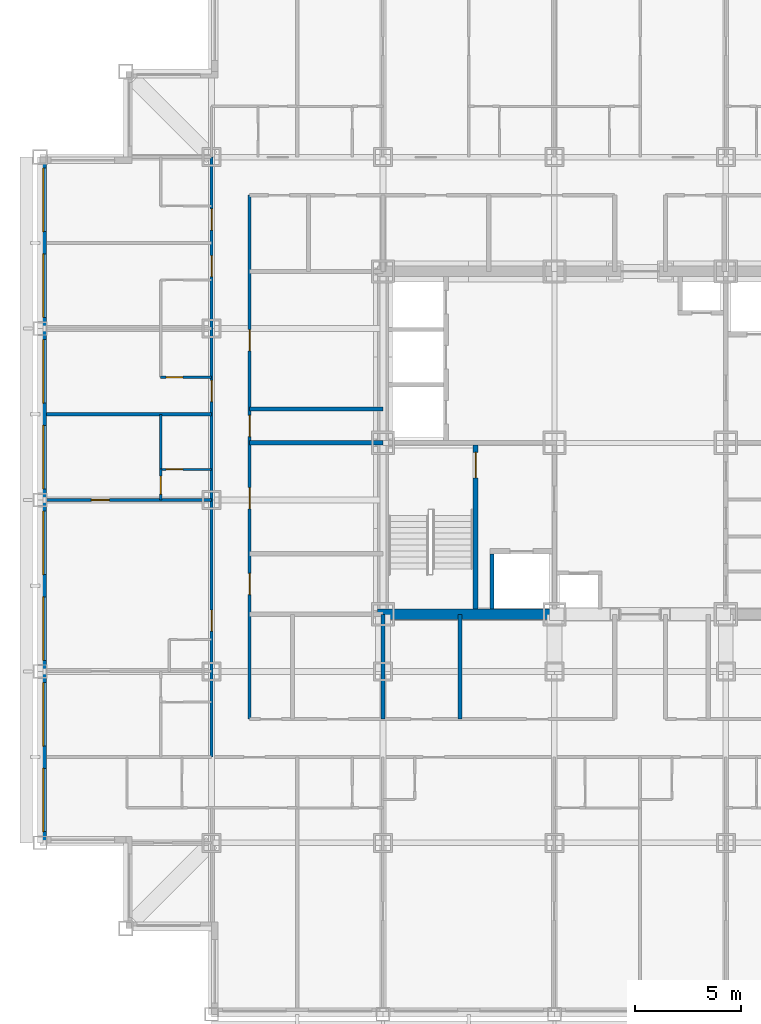
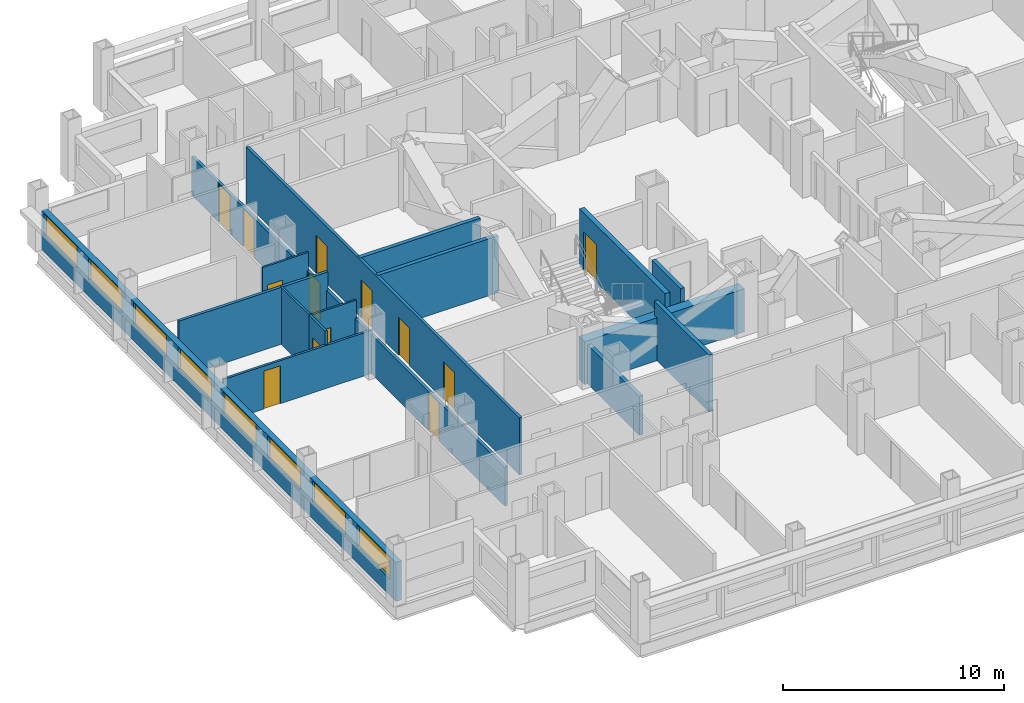
# One storey, part 6 of 15: 16 walls, 13 doors, 8 windows, 21 openings.
"""IFC4 building model written with IfcOpenShell, lengths in metres."""

from ifc_helpers import new_model, si_unit, direction, frame, frame_2d, origin, place, context, subcontext, project, spatial, rectangle, extrude, material, layer, layer_set, type_object, element, fill, save


model = new_model("IFC4")

# Units and contexts
model_context = context("Model", 3, precision=1e-05, world=origin(), true_north=direction((0.0, 1.0)))
body_context = subcontext(model_context, "Body", "Model", "MODEL_VIEW")
ifc_project = project(units=[si_unit("LENGTHUNIT", "METRE"), si_unit("AREAUNIT", "SQUARE_METRE"), si_unit("VOLUMEUNIT", "CUBIC_METRE"), si_unit("PLANEANGLEUNIT", "RADIAN"), si_unit("MASSUNIT", "GRAM", prefix="KILO")], contexts=[model_context])

# Site, building, storey
site_placement = place(None, origin())
site = spatial("IfcSite", under=ifc_project, at=site_placement, CompositionType="ELEMENT")
building_placement = place(site_placement, origin())
building = spatial("IfcBuilding", under=site, at=building_placement, Name="Kopane Lantern Tower", CompositionType="ELEMENT")
storey_placement = place(building_placement, frame((0.0, 0.0, 154.39990234375)))
storey = spatial("IfcBuildingStorey", under=building, at=storey_placement, Name="L40", CompositionType="ELEMENT", Elevation=154.39990234375)

# Wall, opening, door
ifc_material_1 = material(Name="Gypsum board on steel studs", Category="steel")
ifc_layer_1 = layer(ifc_material_1, 0.1201171875)
ifc_layer_set_1 = layer_set([ifc_layer_1], Name="APARTMENT INTERNAL WALL 120")
wall_type_1 = type_object("IfcWallType", Name="APARTMENT INTERNAL WALL 120", PredefinedType="PARTITIONING", material=ifc_layer_set_1)
wall_1_placement = place(storey_placement, frame((8.10009765625, 29.699951171875, 0.0), z_axis=(0.0, 0.0, 1.0), x_axis=(-1.0, 0.0, 0.0)))
wall_1 = element("IfcWall", 1, at=wall_1_placement, inside=storey, type_object=wall_type_1, Name="Apartment Internal Wall 120 L40", PredefinedType="PARTITIONING", context=body_context, shape_type="SweptSolid", body=[
    extrude(rectangle(XDim=7.800048828125, YDim=0.1201171875, at=frame_2d((3.89990234375, 0.0))), origin(), (0.0, 0.0, 1.0), 2.38037109375),
])
opening_1_placement = place(wall_1_placement, frame((4.824951171875, 0.0, 0.0)))
opening_1 = element("IfcOpeningElement", 2, at=opening_1_placement, cuts=wall_1, Name="Opening L40-056", PredefinedType="OPENING", context=body_context, shape_type="SweptSolid", body=[
    extrude(rectangle(XDim=0.85009765625, YDim=2.10009765625, at=frame_2d((0.425048828125, 1.050048828125))), frame((0.0, 0.070068359375, 0.0), z_axis=(0.0, -1.0, 0.0), x_axis=(1.0, 0.0, 0.0)), (0.0, 0.0, 1.0), 0.14013671875),
])
ifc_material_2 = material(Name="Timber door set", Category="wood")
door_type_1 = type_object("IfcDoorType", Name="DOOR D4 850x2100", OperationType="SINGLE_SWING_LEFT", PredefinedType="DOOR", material=ifc_material_2)
door_1_placement = place(opening_1_placement, origin())
door_1 = element("IfcDoor", 3, at=door_1_placement, inside=storey, type_object=door_type_1, Name="Door L40-056", OperationType="SINGLE_SWING_RIGHT", OverallHeight=2.10009765625, OverallWidth=0.85009765625, PredefinedType="DOOR", context=body_context, shape_type="SweptSolid", body=[
    extrude(rectangle(XDim=0.85009765625, YDim=2.10009765625, at=frame_2d((0.425048828125, 1.050048828125))), frame((0.0, 0.02490234375, 0.0), z_axis=(0.0, -1.0, 0.0), x_axis=(1.0, 0.0, 0.0)), (0.0, 0.0, 1.0), 0.050048828125),
])
fill(opening_1, door_1)

wall_2_placement = place(storey_placement, frame((5.699951171875, 29.699951171875, 0.0), z_axis=(0.0, 0.0, 1.0), x_axis=(0.0, 1.0, 0.0)))
wall_2 = element("IfcWall", 4, at=wall_2_placement, inside=storey, type_object=wall_type_1, Name="Apartment Internal Wall 120 L40", PredefinedType="PARTITIONING", context=body_context, shape_type="SweptSolid", body=[
    extrude(rectangle(XDim=1.4599609375, YDim=0.1201171875, at=frame_2d((0.72998046875, 0.0))), origin(), (0.0, 0.0, 1.0), 3.150146484375),
])
opening_2_placement = place(wall_2_placement, frame((0.27490234375, 0.0, 0.0)))
opening_2 = element("IfcOpeningElement", 5, at=opening_2_placement, cuts=wall_2, Name="Opening L40-100", PredefinedType="OPENING", context=body_context, shape_type="SweptSolid", body=[
    extrude(rectangle(XDim=0.85009765625, YDim=2.10009765625, at=frame_2d((0.425048828125, 1.050048828125))), frame((0.0, 0.070068359375, 0.0), z_axis=(0.0, -1.0, 0.0), x_axis=(1.0, 0.0, 0.0)), (0.0, 0.0, 1.0), 0.14013671875),
])
door_2_placement = place(opening_2_placement, origin())
door_2 = element("IfcDoor", 6, at=door_2_placement, inside=storey, type_object=door_type_1, Name="Door L40-100", OperationType="SINGLE_SWING_LEFT", OverallHeight=2.10009765625, OverallWidth=0.85009765625, PredefinedType="DOOR", context=body_context, shape_type="SweptSolid", body=[
    extrude(rectangle(XDim=0.85009765625, YDim=2.10009765625, at=frame_2d((0.425048828125, 1.050048828125))), frame((0.0, 0.02490234375, 0.0), z_axis=(0.0, -1.0, 0.0), x_axis=(1.0, 0.0, 0.0)), (0.0, 0.0, 1.0), 0.050048828125),
])
fill(opening_2, door_2)

# Wall
ifc_material_3 = material(Name="Moisture-resistant board on steel studs", Category="steel")
ifc_layer_2 = layer(ifc_material_3, 0.10009765625)
ifc_layer_set_2 = layer_set([ifc_layer_2], Name="BATHROOM WALL 100")
wall_type_2 = type_object("IfcWallType", Name="BATHROOM WALL 100", PredefinedType="PARTITIONING", material=ifc_layer_set_2)
wall_3_placement = place(storey_placement, frame((5.699951171875, 31.14990234375, 0.0), z_axis=(0.0, 0.0, 1.0), x_axis=(0.0, 1.0, 0.0)))
element("IfcWall", 7, at=wall_3_placement, inside=storey, type_object=wall_type_2, Name="Bathroom Wall 100 L40", PredefinedType="PARTITIONING", context=body_context, shape_type="SweptSolid", body=[
    extrude(rectangle(XDim=2.60009765625, YDim=0.10009765625, at=frame_2d((1.300048828125, 0.0))), origin(), (0.0, 0.0, 1.0), 3.150146484375),
])

# Wall, opening, door
wall_4_placement = place(storey_placement, frame((8.10009765625, 31.14990234375, 0.0), z_axis=(0.0, 0.0, 1.0), x_axis=(-1.0, 0.0, 0.0)))
wall_4 = element("IfcWall", 8, at=wall_4_placement, inside=storey, type_object=wall_type_2, Name="Bathroom Wall 100 L40", PredefinedType="PARTITIONING", context=body_context, shape_type="SweptSolid", body=[
    extrude(rectangle(XDim=2.400146484375, YDim=0.10009765625, at=frame_2d((1.2001953125, 0.0))), origin(), (0.0, 0.0, 1.0), 3.150146484375),
])
opening_3_placement = place(wall_4_placement, frame((1.35009765625, 0.0, 0.0)))
opening_3 = element("IfcOpeningElement", 9, at=opening_3_placement, cuts=wall_4, Name="Opening L40-055", PredefinedType="OPENING", context=body_context, shape_type="SweptSolid", body=[
    extrude(rectangle(XDim=0.800048828125, YDim=2.10009765625, at=frame_2d((0.39990234375, 1.050048828125))), frame((0.0, 0.06005859375, 0.0), z_axis=(0.0, -1.0, 0.0), x_axis=(1.0, 0.0, 0.0)), (0.0, 0.0, 1.0), 0.1201171875),
])
ifc_material_4 = material(Name="Timber door set", Category="wood")
door_type_2 = type_object("IfcDoorType", Name="DOOR D2 800x2100", OperationType="SINGLE_SWING_LEFT", PredefinedType="DOOR", material=ifc_material_4)
door_3_placement = place(opening_3_placement, origin())
door_3 = element("IfcDoor", 10, at=door_3_placement, inside=storey, type_object=door_type_2, Name="Door L40-055", OperationType="SINGLE_SWING_RIGHT", OverallHeight=2.10009765625, OverallWidth=0.800048828125, PredefinedType="DOOR", context=body_context, shape_type="SweptSolid", body=[
    extrude(rectangle(XDim=0.800048828125, YDim=2.10009765625, at=frame_2d((0.39990234375, 1.050048828125))), frame((0.0, 0.02490234375, 0.0), z_axis=(0.0, -1.0, 0.0), x_axis=(1.0, 0.0, 0.0)), (0.0, 0.0, 1.0), 0.050048828125),
])
fill(opening_3, door_3)

wall_5_placement = place(storey_placement, frame((8.10009765625, 35.5, 0.0), z_axis=(0.0, 0.0, 1.0), x_axis=(-1.0, 0.0, 0.0)))
wall_5 = element("IfcWall", 11, at=wall_5_placement, inside=storey, type_object=wall_type_2, Name="Bathroom Wall 100 L40", PredefinedType="PARTITIONING", context=body_context, shape_type="SweptSolid", body=[
    extrude(rectangle(XDim=2.400146484375, YDim=0.10009765625, at=frame_2d((1.2001953125, 0.0))), origin(), (0.0, 0.0, 1.0), 3.150146484375),
])
opening_4_placement = place(wall_5_placement, frame((1.35009765625, 0.0, 0.0)))
opening_4 = element("IfcOpeningElement", 12, at=opening_4_placement, cuts=wall_5, Name="Opening L40-057", PredefinedType="OPENING", context=body_context, shape_type="SweptSolid", body=[
    extrude(rectangle(XDim=0.800048828125, YDim=2.10009765625, at=frame_2d((0.39990234375, 1.050048828125))), frame((0.0, 0.06005859375, 0.0), z_axis=(0.0, -1.0, 0.0), x_axis=(1.0, 0.0, 0.0)), (0.0, 0.0, 1.0), 0.1201171875),
])
door_4_placement = place(opening_4_placement, origin())
door_4 = element("IfcDoor", 13, at=door_4_placement, inside=storey, type_object=door_type_2, Name="Door L40-057", OperationType="SINGLE_SWING_LEFT", OverallHeight=2.10009765625, OverallWidth=0.800048828125, PredefinedType="DOOR", context=body_context, shape_type="SweptSolid", body=[
    extrude(rectangle(XDim=0.800048828125, YDim=2.10009765625, at=frame_2d((0.39990234375, 1.050048828125))), frame((0.0, 0.02490234375, 0.0), z_axis=(0.0, -1.0, 0.0), x_axis=(1.0, 0.0, 0.0)), (0.0, 0.0, 1.0), 0.050048828125),
])
fill(opening_4, door_4)

# Wall
ifc_material_5 = material(Name="Gypsum shaft wall EI 120", Category="gypsum")
ifc_layer_3 = layer(ifc_material_5, 0.5)
ifc_layer_set_3 = layer_set([ifc_layer_3], Name="CORE PERIMETER WALL 500 EI 120")
wall_type_3 = type_object("IfcWallType", Name="CORE PERIMETER WALL 500 EI 120", PredefinedType="SOLIDWALL", material=ifc_layer_set_3)
wall_6_placement = place(storey_placement, frame((15.949951171875, 24.300048828125, 0.0), z_axis=(0.0, 0.0, 1.0), x_axis=(1.0, 0.0, 0.0)))
element("IfcWall", 14, at=wall_6_placement, inside=storey, type_object=wall_type_3, Name="Core shaft wall L40 PSW", PredefinedType="SOLIDWALL", context=body_context, shape_type="SweptSolid", body=[
    extrude(rectangle(XDim=8.35009765625, YDim=0.5, at=frame_2d((4.175048828125, 0.0))), origin(), (0.0, 0.0, 1.0), 2.38037109375),
])

# Wall, opening, door
ifc_material_6 = material(Name="Gypsum shaft wall EI 120", Category="gypsum")
ifc_layer_4 = layer(ifc_material_6, 0.25)
ifc_layer_set_4 = layer_set([ifc_layer_4], Name="CORE SHAFT WALL 250 EI 120")
wall_type_4 = type_object("IfcWallType", Name="CORE SHAFT WALL 250 EI 120", PredefinedType="SOLIDWALL", material=ifc_layer_set_4)
wall_7_placement = place(storey_placement, frame((20.574951171875, 24.550048828125, 0.0), z_axis=(0.0, 0.0, 1.0), x_axis=(0.0, 1.0, 0.0)))
wall_7 = element("IfcWall", 15, at=wall_7_placement, inside=storey, type_object=wall_type_4, Name="Core shaft wall L40 XST1", PredefinedType="SOLIDWALL", context=body_context, shape_type="SweptSolid", body=[
    extrude(rectangle(XDim=7.75, YDim=0.25, at=frame_2d((3.875, 0.0))), origin(), (0.0, 0.0, 1.0), 3.150146484375),
])
opening_5_placement = place(wall_7_placement, frame((6.199951171875, 0.0, 0.0)))
opening_5 = element("IfcOpeningElement", 16, at=opening_5_placement, cuts=wall_7, Name="Opening 40.SD1", PredefinedType="OPENING", context=body_context, shape_type="SweptSolid", body=[
    extrude(rectangle(XDim=1.199951171875, YDim=2.10009765625, at=frame_2d((0.60009765625, 1.050048828125))), frame((0.0, 0.135009765625, 0.0), z_axis=(0.0, -1.0, 0.0), x_axis=(1.0, 0.0, 0.0)), (0.0, 0.0, 1.0), 0.27001953125),
])
ifc_material_7 = material(Name="Steel door set", Category="steel")
door_type_3 = type_object("IfcDoorType", Name="STAIR DOOR 1200x2100 FD60S", OperationType="SINGLE_SWING_LEFT", PredefinedType="DOOR", material=ifc_material_7)
door_5_placement = place(opening_5_placement, origin())
door_5 = element("IfcDoor", 17, at=door_5_placement, inside=storey, type_object=door_type_3, Name="Stair door ST1 L40", OperationType="SINGLE_SWING_LEFT", OverallHeight=2.10009765625, OverallWidth=1.199951171875, PredefinedType="DOOR", context=body_context, shape_type="SweptSolid", body=[
    extrude(rectangle(XDim=1.199951171875, YDim=2.10009765625, at=frame_2d((0.60009765625, 1.050048828125))), frame((0.0, 0.02490234375, 0.0), z_axis=(0.0, -1.0, 0.0), x_axis=(1.0, 0.0, 0.0)), (0.0, 0.0, 1.0), 0.050048828125),
])
fill(opening_5, door_5)

# Wall, openings, doors
ifc_material_8 = material(Name="Gypsum board on steel studs", Category="steel")
ifc_layer_5 = layer(ifc_material_8, 0.14990234375)
ifc_layer_set_5 = layer_set([ifc_layer_5], Name="CORRIDOR WALL 150 EI 60")
wall_type_5 = type_object("IfcWallType", Name="CORRIDOR WALL 150 EI 60", PredefinedType="PARTITIONING", material=ifc_layer_set_5)
wall_8_placement = place(storey_placement, frame((8.10009765625, 17.550048828125, 0.0), z_axis=(0.0, 0.0, 1.0), x_axis=(0.0, 1.0, 0.0)))
wall_8 = element("IfcWall", 18, at=wall_8_placement, inside=storey, type_object=wall_type_5, Name="Corridor Wall 150 Ei 60 L40", PredefinedType="PARTITIONING", context=body_context, shape_type="SweptSolid", body=[
    extrude(rectangle(XDim=28.349853515625, YDim=0.14990234375, at=frame_2d((14.1748046875, 0.0))), origin(), (0.0, 0.0, 1.0), 2.150146484375),
])
opening_6_placement = place(wall_8_placement, frame((5.949951171875, 0.0, 0.0)))
opening_6 = element("IfcOpeningElement", 19, at=opening_6_placement, cuts=wall_8, Name="Opening L40-052", PredefinedType="OPENING", context=body_context, shape_type="SweptSolid", body=[
    extrude(rectangle(XDim=1.0, YDim=2.10009765625, at=frame_2d((0.5, 1.050048828125))), frame((0.0, 0.0849609375, 0.0), z_axis=(0.0, -1.0, 0.0), x_axis=(1.0, 0.0, 0.0)), (0.0, 0.0, 1.0), 0.169921875),
])
opening_7_placement = place(wall_8_placement, frame((16.800048828125, 0.0, 0.0)))
opening_7 = element("IfcOpeningElement", 20, at=opening_7_placement, cuts=wall_8, Name="Opening L40-058", PredefinedType="OPENING", context=body_context, shape_type="SweptSolid", body=[
    extrude(rectangle(XDim=1.0, YDim=2.10009765625, at=frame_2d((0.5, 1.050048828125))), frame((0.0, 0.0849609375, 0.0), z_axis=(0.0, -1.0, 0.0), x_axis=(1.0, 0.0, 0.0)), (0.0, 0.0, 1.0), 0.169921875),
])
opening_8_placement = place(wall_8_placement, frame((22.699951171875, 0.0, 0.0)))
opening_8 = element("IfcOpeningElement", 21, at=opening_8_placement, cuts=wall_8, Name="Opening L40-060", PredefinedType="OPENING", context=body_context, shape_type="SweptSolid", body=[
    extrude(rectangle(XDim=1.0, YDim=2.10009765625, at=frame_2d((0.5, 1.050048828125))), frame((0.0, 0.0849609375, 0.0), z_axis=(0.0, -1.0, 0.0), x_axis=(1.0, 0.0, 0.0)), (0.0, 0.0, 1.0), 0.169921875),
])
opening_9_placement = place(wall_8_placement, frame((24.89990234375, 0.0, 0.0)))
opening_9 = element("IfcOpeningElement", 22, at=opening_9_placement, cuts=wall_8, Name="Opening L40-062", PredefinedType="OPENING", context=body_context, shape_type="SweptSolid", body=[
    extrude(rectangle(XDim=1.0, YDim=2.10009765625, at=frame_2d((0.5, 1.050048828125))), frame((0.0, 0.0849609375, 0.0), z_axis=(0.0, -1.0, 0.0), x_axis=(1.0, 0.0, 0.0)), (0.0, 0.0, 1.0), 0.169921875),
])
ifc_material_9 = material(Name="Steel door set", Category="steel")
door_type_4 = type_object("IfcDoorType", Name="DOOR D1 1000x2100 FD30S", OperationType="SINGLE_SWING_LEFT", PredefinedType="DOOR", material=ifc_material_9)
door_6_placement = place(opening_6_placement, origin())
door_6 = element("IfcDoor", 23, at=door_6_placement, inside=storey, type_object=door_type_4, Name="Door L40-052", OperationType="SINGLE_SWING_LEFT", OverallHeight=2.10009765625, OverallWidth=1.0, PredefinedType="DOOR", context=body_context, shape_type="SweptSolid", body=[
    extrude(rectangle(XDim=1.0, YDim=2.10009765625, at=frame_2d((0.5, 1.050048828125))), frame((0.0, 0.02490234375, 0.0), z_axis=(0.0, -1.0, 0.0), x_axis=(1.0, 0.0, 0.0)), (0.0, 0.0, 1.0), 0.050048828125),
])
fill(opening_6, door_6)
door_7_placement = place(opening_7_placement, origin())
door_7 = element("IfcDoor", 24, at=door_7_placement, inside=storey, type_object=door_type_4, Name="Door L40-058", OperationType="SINGLE_SWING_RIGHT", OverallHeight=2.10009765625, OverallWidth=1.0, PredefinedType="DOOR", context=body_context, shape_type="SweptSolid", body=[
    extrude(rectangle(XDim=1.0, YDim=2.10009765625, at=frame_2d((0.5, 1.050048828125))), frame((0.0, 0.02490234375, 0.0), z_axis=(0.0, -1.0, 0.0), x_axis=(1.0, 0.0, 0.0)), (0.0, 0.0, 1.0), 0.050048828125),
])
fill(opening_7, door_7)
door_8_placement = place(opening_8_placement, origin())
door_8 = element("IfcDoor", 25, at=door_8_placement, inside=storey, type_object=door_type_4, Name="Door L40-060", OperationType="SINGLE_SWING_LEFT", OverallHeight=2.10009765625, OverallWidth=1.0, PredefinedType="DOOR", context=body_context, shape_type="SweptSolid", body=[
    extrude(rectangle(XDim=1.0, YDim=2.10009765625, at=frame_2d((0.5, 1.050048828125))), frame((0.0, 0.02490234375, 0.0), z_axis=(0.0, -1.0, 0.0), x_axis=(1.0, 0.0, 0.0)), (0.0, 0.0, 1.0), 0.050048828125),
])
fill(opening_8, door_8)
door_9_placement = place(opening_9_placement, origin())
door_9 = element("IfcDoor", 26, at=door_9_placement, inside=storey, type_object=door_type_4, Name="Door L40-062", OperationType="SINGLE_SWING_RIGHT", OverallHeight=2.10009765625, OverallWidth=1.0, PredefinedType="DOOR", context=body_context, shape_type="SweptSolid", body=[
    extrude(rectangle(XDim=1.0, YDim=2.10009765625, at=frame_2d((0.5, 1.050048828125))), frame((0.0, 0.02490234375, 0.0), z_axis=(0.0, -1.0, 0.0), x_axis=(1.0, 0.0, 0.0)), (0.0, 0.0, 1.0), 0.050048828125),
])
fill(opening_9, door_9)

wall_9_placement = place(storey_placement, frame((9.89990234375, 44.10009765625, 0.0), z_axis=(0.0, 0.0, 1.0), x_axis=(0.0, -1.0, 0.0)))
wall_9 = element("IfcWall", 27, at=wall_9_placement, inside=storey, type_object=wall_type_5, Name="Corridor Wall 150 Ei 60 L40", PredefinedType="PARTITIONING", context=body_context, shape_type="SweptSolid", body=[
    extrude(rectangle(XDim=24.75, YDim=0.14990234375, at=frame_2d((12.375, 0.0))), origin(), (0.0, 0.0, 1.0), 3.150146484375),
])
opening_10_placement = place(wall_9_placement, frame((17.871337890625, 0.0, 0.0)))
opening_10 = element("IfcOpeningElement", 28, at=opening_10_placement, cuts=wall_9, Name="Opening L40-001", PredefinedType="OPENING", context=body_context, shape_type="SweptSolid", body=[
    extrude(rectangle(XDim=1.0, YDim=2.10009765625, at=frame_2d((0.5, 1.050048828125))), frame((0.0, 0.0849609375, 0.0), z_axis=(0.0, -1.0, 0.0), x_axis=(1.0, 0.0, 0.0)), (0.0, 0.0, 1.0), 0.169921875),
])
opening_11_placement = place(wall_9_placement, frame((13.8212890625, 0.0, 0.0)))
opening_11 = element("IfcOpeningElement", 29, at=opening_11_placement, cuts=wall_9, Name="Opening L40-002", PredefinedType="OPENING", context=body_context, shape_type="SweptSolid", body=[
    extrude(rectangle(XDim=1.0, YDim=2.10009765625, at=frame_2d((0.5, 1.050048828125))), frame((0.0, 0.0849609375, 0.0), z_axis=(0.0, -1.0, 0.0), x_axis=(1.0, 0.0, 0.0)), (0.0, 0.0, 1.0), 0.169921875),
])
opening_12_placement = place(wall_9_placement, frame((10.39990234375, 0.0, 0.0)))
opening_12 = element("IfcOpeningElement", 30, at=opening_12_placement, cuts=wall_9, Name="Opening L40-003", PredefinedType="OPENING", context=body_context, shape_type="SweptSolid", body=[
    extrude(rectangle(XDim=1.0, YDim=2.10009765625, at=frame_2d((0.5, 1.050048828125))), frame((0.0, 0.0849609375, 0.0), z_axis=(0.0, -1.0, 0.0), x_axis=(1.0, 0.0, 0.0)), (0.0, 0.0, 1.0), 0.169921875),
])
opening_13_placement = place(wall_9_placement, frame((6.35009765625, 0.0, 0.0)))
opening_13 = element("IfcOpeningElement", 31, at=opening_13_placement, cuts=wall_9, Name="Opening L40-004", PredefinedType="OPENING", context=body_context, shape_type="SweptSolid", body=[
    extrude(rectangle(XDim=1.0, YDim=2.10009765625, at=frame_2d((0.5, 1.050048828125))), frame((0.0, 0.0849609375, 0.0), z_axis=(0.0, -1.0, 0.0), x_axis=(1.0, 0.0, 0.0)), (0.0, 0.0, 1.0), 0.169921875),
])
ifc_material_10 = material(Name="Steel door set", Category="steel")
door_type_5 = type_object("IfcDoorType", Name="DOOR D5 1000x2100 FD60", OperationType="SINGLE_SWING_LEFT", PredefinedType="DOOR", material=ifc_material_10)
door_10_placement = place(opening_10_placement, origin())
door_10 = element("IfcDoor", 32, at=door_10_placement, inside=storey, type_object=door_type_5, Name="Door L40-001", OperationType="SINGLE_SWING_RIGHT", OverallHeight=2.10009765625, OverallWidth=1.0, PredefinedType="DOOR", context=body_context, shape_type="SweptSolid", body=[
    extrude(rectangle(XDim=1.0, YDim=2.10009765625, at=frame_2d((0.5, 1.050048828125))), frame((0.0, 0.02490234375, 0.0), z_axis=(0.0, -1.0, 0.0), x_axis=(1.0, 0.0, 0.0)), (0.0, 0.0, 1.0), 0.050048828125),
])
fill(opening_10, door_10)
door_11_placement = place(opening_11_placement, origin())
door_11 = element("IfcDoor", 33, at=door_11_placement, inside=storey, type_object=door_type_5, Name="Door L40-002", OperationType="SINGLE_SWING_LEFT", OverallHeight=2.10009765625, OverallWidth=1.0, PredefinedType="DOOR", context=body_context, shape_type="SweptSolid", body=[
    extrude(rectangle(XDim=1.0, YDim=2.10009765625, at=frame_2d((0.5, 1.050048828125))), frame((0.0, 0.02490234375, 0.0), z_axis=(0.0, -1.0, 0.0), x_axis=(1.0, 0.0, 0.0)), (0.0, 0.0, 1.0), 0.050048828125),
])
fill(opening_11, door_11)
door_12_placement = place(opening_12_placement, origin())
door_12 = element("IfcDoor", 34, at=door_12_placement, inside=storey, type_object=door_type_5, Name="Door L40-003", OperationType="SINGLE_SWING_RIGHT", OverallHeight=2.10009765625, OverallWidth=1.0, PredefinedType="DOOR", context=body_context, shape_type="SweptSolid", body=[
    extrude(rectangle(XDim=1.0, YDim=2.10009765625, at=frame_2d((0.5, 1.050048828125))), frame((0.0, 0.02490234375, 0.0), z_axis=(0.0, -1.0, 0.0), x_axis=(1.0, 0.0, 0.0)), (0.0, 0.0, 1.0), 0.050048828125),
])
fill(opening_12, door_12)
door_13_placement = place(opening_13_placement, origin())
door_13 = element("IfcDoor", 35, at=door_13_placement, inside=storey, type_object=door_type_5, Name="Door L40-004", OperationType="SINGLE_SWING_LEFT", OverallHeight=2.10009765625, OverallWidth=1.0, PredefinedType="DOOR", context=body_context, shape_type="SweptSolid", body=[
    extrude(rectangle(XDim=1.0, YDim=2.10009765625, at=frame_2d((0.5, 1.050048828125))), frame((0.0, 0.02490234375, 0.0), z_axis=(0.0, -1.0, 0.0), x_axis=(1.0, 0.0, 0.0)), (0.0, 0.0, 1.0), 0.050048828125),
])
fill(opening_13, door_13)

# Wall
ifc_material_11 = material(Name="Gypsum board on steel studs", Category="steel")
ifc_layer_6 = layer(ifc_material_11, 0.14990234375)
ifc_layer_set_6 = layer_set([ifc_layer_6], Name="DEMISING WALL 150 EI 60")
wall_type_6 = type_object("IfcWallType", Name="DEMISING WALL 150 EI 60", PredefinedType="PARTITIONING", material=ifc_layer_set_6)
wall_10_placement = place(storey_placement, frame((8.10009765625, 33.75, 0.0), z_axis=(0.0, 0.0, 1.0), x_axis=(-1.0, 0.0, 0.0)))
element("IfcWall", 36, at=wall_10_placement, inside=storey, type_object=wall_type_6, Name="Demising Wall 150 Ei 60 L40", PredefinedType="PARTITIONING", context=body_context, shape_type="SweptSolid", body=[
    extrude(rectangle(XDim=7.800048828125, YDim=0.14990234375, at=frame_2d((3.89990234375, 0.0))), origin(), (0.0, 0.0, 1.0), 3.150146484375),
])

# Wall, openings, windows
ifc_material_12 = material(Name="Terracotta rainscreen on light steel framing", Category="masonry")
ifc_layer_7 = layer(ifc_material_12, 0.300048828125)
ifc_layer_set_7 = layer_set([ifc_layer_7], Name="EXTERNAL WALL EW1 300 TERRACOTTA")
wall_type_7 = type_object("IfcWallType", Name="EXTERNAL WALL EW1 300 TERRACOTTA", PredefinedType="SOLIDWALL", material=ifc_layer_set_7)
wall_11_placement = place(storey_placement, frame((0.14990234375, 45.60009765625, 0.0), z_axis=(0.0, 0.0, 1.0), x_axis=(0.0, -1.0, 0.0)))
wall_11 = element("IfcWall", 37, at=wall_11_placement, inside=storey, type_object=wall_type_7, Name="External wall W L40", PredefinedType="SOLIDWALL", context=body_context, shape_type="SweptSolid", body=[
    extrude(rectangle(XDim=32.10009765625, YDim=0.300048828125, at=frame_2d((16.050048828125, 0.0))), origin(), (0.0, 0.0, 1.0), 2.150146484375),
])
opening_14_placement = place(wall_11_placement, frame((0.22509765625, 0.0, 0.89990234375)))
opening_14 = element("IfcOpeningElement", 38, at=opening_14_placement, cuts=wall_11, Name="Opening WR300120", PredefinedType="OPENING", context=body_context, shape_type="SweptSolid", body=[
    extrude(rectangle(XDim=3.0, YDim=1.199951171875, at=frame_2d((1.5, 0.60009765625))), frame((0.0, 0.159912109375, 0.0), z_axis=(0.0, -1.0, 0.0), x_axis=(1.0, 0.0, 0.0)), (0.0, 0.0, 1.0), 0.320068359375),
])
opening_15_placement = place(wall_11_placement, frame((4.27490234375, 0.0, 0.89990234375)))
opening_15 = element("IfcOpeningElement", 39, at=opening_15_placement, cuts=wall_11, Name="Opening WR300120", PredefinedType="OPENING", context=body_context, shape_type="SweptSolid", body=[
    extrude(rectangle(XDim=3.0, YDim=1.199951171875, at=frame_2d((1.5, 0.60009765625))), frame((0.0, 0.159912109375, 0.0), z_axis=(0.0, -1.0, 0.0), x_axis=(1.0, 0.0, 0.0)), (0.0, 0.0, 1.0), 0.320068359375),
])
opening_16_placement = place(wall_11_placement, frame((8.324951171875, 0.0, 0.89990234375)))
opening_16 = element("IfcOpeningElement", 40, at=opening_16_placement, cuts=wall_11, Name="Opening WR300120", PredefinedType="OPENING", context=body_context, shape_type="SweptSolid", body=[
    extrude(rectangle(XDim=3.0, YDim=1.199951171875, at=frame_2d((1.5, 0.60009765625))), frame((0.0, 0.159912109375, 0.0), z_axis=(0.0, -1.0, 0.0), x_axis=(1.0, 0.0, 0.0)), (0.0, 0.0, 1.0), 0.320068359375),
])
opening_17_placement = place(wall_11_placement, frame((12.375, 0.0, 0.89990234375)))
opening_17 = element("IfcOpeningElement", 41, at=opening_17_placement, cuts=wall_11, Name="Opening WR300120", PredefinedType="OPENING", context=body_context, shape_type="SweptSolid", body=[
    extrude(rectangle(XDim=3.0, YDim=1.199951171875, at=frame_2d((1.5, 0.60009765625))), frame((0.0, 0.159912109375, 0.0), z_axis=(0.0, -1.0, 0.0), x_axis=(1.0, 0.0, 0.0)), (0.0, 0.0, 1.0), 0.320068359375),
])
opening_18_placement = place(wall_11_placement, frame((16.425048828125, 0.0, 0.89990234375)))
opening_18 = element("IfcOpeningElement", 42, at=opening_18_placement, cuts=wall_11, Name="Opening WR300120", PredefinedType="OPENING", context=body_context, shape_type="SweptSolid", body=[
    extrude(rectangle(XDim=3.0, YDim=1.199951171875, at=frame_2d((1.5, 0.60009765625))), frame((0.0, 0.159912109375, 0.0), z_axis=(0.0, -1.0, 0.0), x_axis=(1.0, 0.0, 0.0)), (0.0, 0.0, 1.0), 0.320068359375),
])
opening_19_placement = place(wall_11_placement, frame((20.47509765625, 0.0, 0.89990234375)))
opening_19 = element("IfcOpeningElement", 43, at=opening_19_placement, cuts=wall_11, Name="Opening WR300120", PredefinedType="OPENING", context=body_context, shape_type="SweptSolid", body=[
    extrude(rectangle(XDim=3.0, YDim=1.199951171875, at=frame_2d((1.5, 0.60009765625))), frame((0.0, 0.159912109375, 0.0), z_axis=(0.0, -1.0, 0.0), x_axis=(1.0, 0.0, 0.0)), (0.0, 0.0, 1.0), 0.320068359375),
])
opening_20_placement = place(wall_11_placement, frame((24.52490234375, 0.0, 0.89990234375)))
opening_20 = element("IfcOpeningElement", 44, at=opening_20_placement, cuts=wall_11, Name="Opening WR300120", PredefinedType="OPENING", context=body_context, shape_type="SweptSolid", body=[
    extrude(rectangle(XDim=3.0, YDim=1.199951171875, at=frame_2d((1.5, 0.60009765625))), frame((0.0, 0.159912109375, 0.0), z_axis=(0.0, -1.0, 0.0), x_axis=(1.0, 0.0, 0.0)), (0.0, 0.0, 1.0), 0.320068359375),
])
opening_21_placement = place(wall_11_placement, frame((28.574951171875, 0.0, 0.89990234375)))
opening_21 = element("IfcOpeningElement", 45, at=opening_21_placement, cuts=wall_11, Name="Opening WR300120", PredefinedType="OPENING", context=body_context, shape_type="SweptSolid", body=[
    extrude(rectangle(XDim=3.0, YDim=1.199951171875, at=frame_2d((1.5, 0.60009765625))), frame((0.0, 0.159912109375, 0.0), z_axis=(0.0, -1.0, 0.0), x_axis=(1.0, 0.0, 0.0)), (0.0, 0.0, 1.0), 0.320068359375),
])
ifc_material_13 = material(Name="Aluminium and clear glass", Category="aluminium")
window_type = type_object("IfcWindowType", Name="RIBBON WINDOW WR300120 3000x1200", PartitioningType="SINGLE_PANEL", PredefinedType="WINDOW", material=ifc_material_13)
window_1_placement = place(opening_14_placement, origin())
window_1 = element("IfcWindow", 46, at=window_1_placement, inside=storey, type_object=window_type, Name="Window W L40", OverallHeight=1.199951171875, OverallWidth=3.0, PartitioningType="SINGLE_PANEL", PredefinedType="WINDOW", context=body_context, shape_type="SweptSolid", body=[
    extrude(rectangle(XDim=3.0, YDim=1.199951171875, at=frame_2d((1.5, 0.60009765625))), frame((0.0, 0.030029296875, 0.0), z_axis=(0.0, -1.0, 0.0), x_axis=(1.0, 0.0, 0.0)), (0.0, 0.0, 1.0), 0.06005859375),
])
fill(opening_14, window_1)
window_2_placement = place(opening_15_placement, origin())
window_2 = element("IfcWindow", 47, at=window_2_placement, inside=storey, type_object=window_type, Name="Window W L40", OverallHeight=1.199951171875, OverallWidth=3.0, PartitioningType="SINGLE_PANEL", PredefinedType="WINDOW", context=body_context, shape_type="SweptSolid", body=[
    extrude(rectangle(XDim=3.0, YDim=1.199951171875, at=frame_2d((1.5, 0.60009765625))), frame((0.0, 0.030029296875, 0.0), z_axis=(0.0, -1.0, 0.0), x_axis=(1.0, 0.0, 0.0)), (0.0, 0.0, 1.0), 0.06005859375),
])
fill(opening_15, window_2)
window_3_placement = place(opening_16_placement, origin())
window_3 = element("IfcWindow", 48, at=window_3_placement, inside=storey, type_object=window_type, Name="Window W L40", OverallHeight=1.199951171875, OverallWidth=3.0, PartitioningType="SINGLE_PANEL", PredefinedType="WINDOW", context=body_context, shape_type="SweptSolid", body=[
    extrude(rectangle(XDim=3.0, YDim=1.199951171875, at=frame_2d((1.5, 0.60009765625))), frame((0.0, 0.030029296875, 0.0), z_axis=(0.0, -1.0, 0.0), x_axis=(1.0, 0.0, 0.0)), (0.0, 0.0, 1.0), 0.06005859375),
])
fill(opening_16, window_3)
window_4_placement = place(opening_17_placement, origin())
window_4 = element("IfcWindow", 49, at=window_4_placement, inside=storey, type_object=window_type, Name="Window W L40", OverallHeight=1.199951171875, OverallWidth=3.0, PartitioningType="SINGLE_PANEL", PredefinedType="WINDOW", context=body_context, shape_type="SweptSolid", body=[
    extrude(rectangle(XDim=3.0, YDim=1.199951171875, at=frame_2d((1.5, 0.60009765625))), frame((0.0, 0.030029296875, 0.0), z_axis=(0.0, -1.0, 0.0), x_axis=(1.0, 0.0, 0.0)), (0.0, 0.0, 1.0), 0.06005859375),
])
fill(opening_17, window_4)
window_5_placement = place(opening_18_placement, origin())
window_5 = element("IfcWindow", 50, at=window_5_placement, inside=storey, type_object=window_type, Name="Window W L40", OverallHeight=1.199951171875, OverallWidth=3.0, PartitioningType="SINGLE_PANEL", PredefinedType="WINDOW", context=body_context, shape_type="SweptSolid", body=[
    extrude(rectangle(XDim=3.0, YDim=1.199951171875, at=frame_2d((1.5, 0.60009765625))), frame((0.0, 0.030029296875, 0.0), z_axis=(0.0, -1.0, 0.0), x_axis=(1.0, 0.0, 0.0)), (0.0, 0.0, 1.0), 0.06005859375),
])
fill(opening_18, window_5)
window_6_placement = place(opening_19_placement, origin())
window_6 = element("IfcWindow", 51, at=window_6_placement, inside=storey, type_object=window_type, Name="Window W L40", OverallHeight=1.199951171875, OverallWidth=3.0, PartitioningType="SINGLE_PANEL", PredefinedType="WINDOW", context=body_context, shape_type="SweptSolid", body=[
    extrude(rectangle(XDim=3.0, YDim=1.199951171875, at=frame_2d((1.5, 0.60009765625))), frame((0.0, 0.030029296875, 0.0), z_axis=(0.0, -1.0, 0.0), x_axis=(1.0, 0.0, 0.0)), (0.0, 0.0, 1.0), 0.06005859375),
])
fill(opening_19, window_6)
window_7_placement = place(opening_20_placement, origin())
window_7 = element("IfcWindow", 52, at=window_7_placement, inside=storey, type_object=window_type, Name="Window W L40", OverallHeight=1.199951171875, OverallWidth=3.0, PartitioningType="SINGLE_PANEL", PredefinedType="WINDOW", context=body_context, shape_type="SweptSolid", body=[
    extrude(rectangle(XDim=3.0, YDim=1.199951171875, at=frame_2d((1.5, 0.60009765625))), frame((0.0, 0.030029296875, 0.0), z_axis=(0.0, -1.0, 0.0), x_axis=(1.0, 0.0, 0.0)), (0.0, 0.0, 1.0), 0.06005859375),
])
fill(opening_20, window_7)
window_8_placement = place(opening_21_placement, origin())
window_8 = element("IfcWindow", 53, at=window_8_placement, inside=storey, type_object=window_type, Name="Window W L40", OverallHeight=1.199951171875, OverallWidth=3.0, PartitioningType="SINGLE_PANEL", PredefinedType="WINDOW", context=body_context, shape_type="SweptSolid", body=[
    extrude(rectangle(XDim=3.0, YDim=1.199951171875, at=frame_2d((1.5, 0.60009765625))), frame((0.0, 0.030029296875, 0.0), z_axis=(0.0, -1.0, 0.0), x_axis=(1.0, 0.0, 0.0)), (0.0, 0.0, 1.0), 0.06005859375),
])
fill(opening_21, window_8)

# Walls
ifc_material_14 = material(Name="Concrete masonry", Category="masonry")
ifc_layer_8 = layer(ifc_material_14, 0.199951171875)
ifc_layer_set_8 = layer_set([ifc_layer_8], Name="PLANT ROOM WALL 200 EI 120")
wall_type_8 = type_object("IfcWallType", Name="PLANT ROOM WALL 200 EI 120", PredefinedType="SOLIDWALL", material=ifc_layer_set_8)
for number, where, z_axis, x_axis, name in (
    (54, (9.89990234375, 32.39990234375, 0.0), (0.0, 0.0, 1.0), (1.0, 0.0, 0.0), "Plant Room Wall 200 Ei 120 L40"),
    (55, (9.89990234375, 34.0, 0.0), (0.0, 0.0, 1.0), (1.0, 0.0, 0.0), "Plant Room Wall 200 Ei 120 L40"),
):
    element("IfcWall", number, at=place(storey_placement, frame(where, z_axis=z_axis, x_axis=x_axis)), inside=storey, type_object=wall_type_8, Name=name, PredefinedType="SOLIDWALL", context=body_context, shape_type="SweptSolid", body=[
        extrude(rectangle(XDim=6.300048828125, YDim=0.199951171875, at=frame_2d((3.14990234375, 0.0))), origin(), (0.0, 0.0, 1.0), 3.150146484375),
    ])
wall_12_placement = place(storey_placement, frame((16.199951171875, 19.35009765625, 0.0), z_axis=(0.0, 0.0, 1.0), x_axis=(0.0, 1.0, 0.0)))
element("IfcWall", 56, at=wall_12_placement, inside=storey, type_object=wall_type_8, Name="Plant Room Wall 200 Ei 120 L40", PredefinedType="SOLIDWALL", context=body_context, shape_type="SweptSolid", body=[
    extrude(rectangle(XDim=4.949951171875, YDim=0.199951171875, at=frame_2d((2.47509765625, 0.0))), origin(), (0.0, 0.0, 1.0), 2.150146484375),
])
wall_13_placement = place(storey_placement, frame((19.83642578125, 19.35009765625, 0.0), z_axis=(0.0, 0.0, 1.0), x_axis=(0.0, 1.0, 0.0)))
element("IfcWall", 57, at=wall_13_placement, inside=storey, type_object=wall_type_8, Name="Plant Room Wall 200 Ei 120 L40", PredefinedType="SOLIDWALL", context=body_context, shape_type="SweptSolid", body=[
    extrude(rectangle(XDim=4.949951171875, YDim=0.199951171875, at=frame_2d((2.47509765625, 0.0))), origin(), (0.0, 0.0, 1.0), 3.150146484375),
])
ifc_material_15 = material(Name="Gypsum shaft wall EI 120", Category="gypsum")
ifc_layer_9 = layer(ifc_material_15, 0.199951171875)
ifc_layer_set_9 = layer_set([ifc_layer_9], Name="SHAFT WALL 200 EI 120")
wall_type_9 = type_object("IfcWallType", Name="SHAFT WALL 200 EI 120", PredefinedType="SOLIDWALL", material=ifc_layer_set_9)
wall_14_placement = place(storey_placement, frame((21.35009765625, 24.550048828125, 0.0), z_axis=(0.0, 0.0, 1.0), x_axis=(0.0, 1.0, 0.0)))
element("IfcWall", 58, at=wall_14_placement, inside=storey, type_object=wall_type_9, Name="Core shaft wall L40 XLF1", PredefinedType="SOLIDWALL", context=body_context, shape_type="SweptSolid", body=[
    extrude(rectangle(XDim=2.599853515625, YDim=0.199951171875, at=frame_2d((1.2998046875, 0.0))), origin(), (0.0, 0.0, 1.0), 3.150146484375),
])

save(model, "model.ifc")
